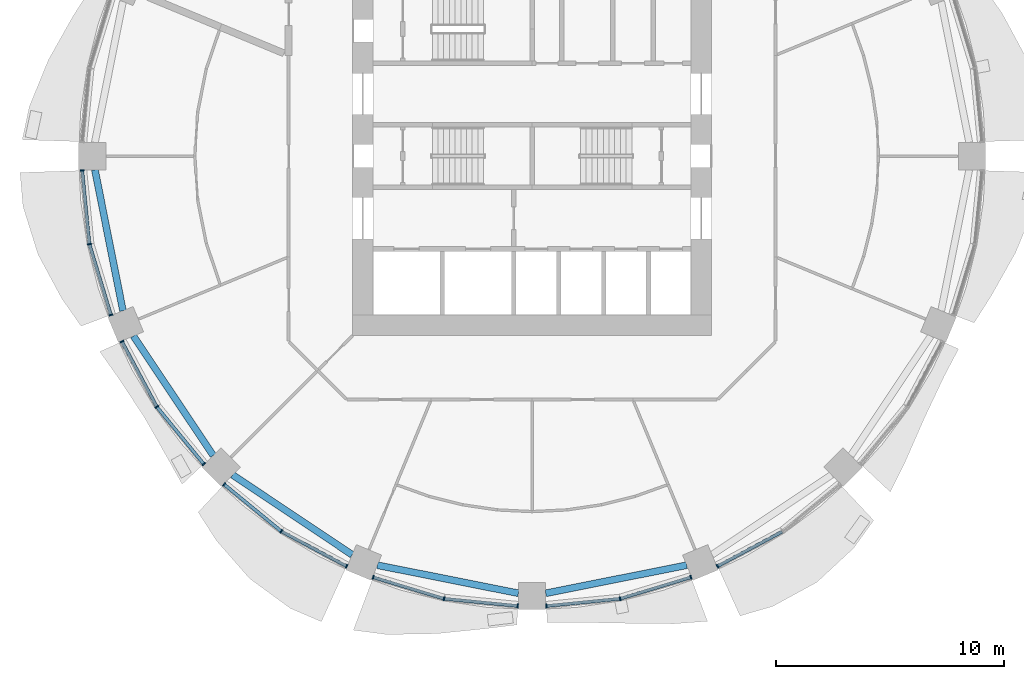
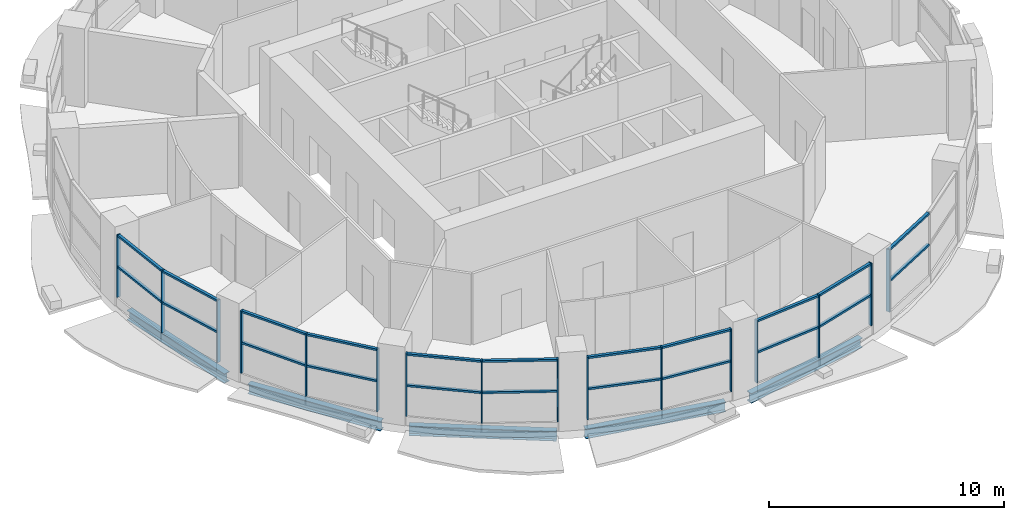
# One storey, part 2 of 14: 38 members, 5 beams, 6 elements without a shape of their own.
"""IFC4 building model written with IfcOpenShell, lengths in metres."""

from ifc_helpers import new_model, si_unit, direction, frame, origin, origin_2d, place, context, subcontext, project, spatial, rectangle, i_section, extrude, material, material_profile, profile_set, type_object, element, aggregate, save


model = new_model("IFC4")

# Units and contexts
model_context = context("Model", 3, precision=1e-05, world=origin(), true_north=direction((0.0, 1.0)))
body_context = subcontext(model_context, "Body", "Model", "MODEL_VIEW")
ifc_project = project(units=[si_unit("LENGTHUNIT", "METRE"), si_unit("AREAUNIT", "SQUARE_METRE"), si_unit("VOLUMEUNIT", "CUBIC_METRE"), si_unit("PLANEANGLEUNIT", "RADIAN"), si_unit("MASSUNIT", "GRAM", prefix="KILO")], contexts=[model_context])

# Site, building, storey
site_placement = place(None, origin())
site = spatial("IfcSite", under=ifc_project, at=site_placement, CompositionType="ELEMENT")
building_placement = place(site_placement, origin())
building = spatial("IfcBuilding", under=site, at=building_placement, Name="Polderwave Tower", CompositionType="ELEMENT")
storey_placement = place(building_placement, frame((0.0, 0.0, 14.39990234375)))
storey = spatial("IfcBuildingStorey", under=building, at=storey_placement, Name="L03", CompositionType="ELEMENT", Elevation=14.39990234375)

# Beams
ifc_material_1 = material(Name="Steel S355", Category="steel")
ifc_material_profile_1 = material_profile(ifc_material_1, i_section(OverallWidth=0.300048828125, OverallDepth=0.5, WebThickness=0.014404296875, FlangeThickness=0.028076171875, at=origin_2d()), Name="HE 500 B")
ifc_profile_set_1 = profile_set([ifc_material_profile_1], Name="Steel S355")
beam_type = type_object("IfcBeamType", Name="RING BEAM HE 500 B", PredefinedType="BEAM", material=ifc_profile_set_1)
for number, where, z_axis, x_axis, name in (
    (1, (-19.170654296875, -0.60009765625, -0.64990234375), (0.195102988285, -0.980782760841, 0.0), (0.980782760841, 0.195102988285, 0.0), "ST-RB-L03-08"),
    (2, (-17.481689453125, -7.890625, -0.64990234375), (0.555566948836, -0.831471806715, 0.0), (0.831471806715, 0.555566948836, 0.0), "ST-RB-L03-09"),
    (3, (-13.13134765625, -13.97998046875, -0.64990234375), (0.831471806715, -0.555566948836, 0.0), (0.555566948836, 0.831471806715, 0.0), "ST-RB-L03-10"),
    (4, (-6.781982421875, -17.94091796875, -0.64990234375), (0.980782760841, -0.195102988285, 0.0), (0.195102988285, 0.980782760841, 0.0), "ST-RB-L03-11"),
    (5, (0.60009765625, -19.170654296875, -0.64990234375), (0.980782760841, 0.195102988285, 0.0), (-0.195102988285, 0.980782760841, 0.0), "ST-RB-L03-12"),
):
    element("IfcBeam", number, at=place(storey_placement, frame(where, z_axis=z_axis, x_axis=x_axis)), inside=storey, type_object=beam_type, Name=name, PredefinedType="BEAM", context=body_context, shape_type="SweptSolid", body=[
        extrude(i_section(OverallWidth=0.300048828125, OverallDepth=0.5, WebThickness=0.014404296875, FlangeThickness=0.028076171875, at=origin_2d()), origin(), (0.0, 0.0, 1.0), 6.302978515625),
    ])

# Curtain wall, members
ifc_material_2 = material(Name="Aluminium 6063-T6 and glass", Category="aluminium")
curtain_wall_type = type_object("IfcCurtainWallType", Name="Shopfront glazing wall", PredefinedType="NOTDEFINED", material=ifc_material_2)
curtain_wall_1_placement = place(storey_placement, origin())
curtain_wall_1 = element("IfcCurtainWall", 6, at=curtain_wall_1_placement, inside=storey, type_object=curtain_wall_type, Name="CW1 L03 08", PredefinedType="NOTDEFINED")
ifc_material_3 = material(Name="Aluminium 6063-T6", Category="aluminium")
ifc_material_profile_2 = material_profile(ifc_material_3, rectangle(XDim=0.179931640625, YDim=0.06005859375, at=origin_2d()), Name="AL 60x180")
ifc_profile_set_2 = profile_set([ifc_material_profile_2], Name="Aluminium 6063-T6")
member_type_1 = type_object("IfcMemberType", Name="Shopfront glazing mullion 60x180", PredefinedType="MULLION", material=ifc_profile_set_2)
member_1_placement = place(storey_placement, frame((-19.72802734375, -0.6298828125, 0.4501953125), z_axis=(0.0, 0.0, 1.0), x_axis=(0.995190028453, 0.097963295511, 0.0)))
member_1 = element("IfcMember", 7, at=member_1_placement, type_object=member_type_1, Name="CW1 mullion 1", PredefinedType="MULLION", context=body_context, shape_type="SweptSolid", body=[
    extrude(rectangle(XDim=0.179931640625, YDim=0.06005859375, at=origin_2d()), origin(), (0.0, 0.0, 1.0), 3.25),
])
member_2_placement = place(storey_placement, frame((-19.409912109375, -3.861083984375, 0.4501953125), z_axis=(0.0, 0.0, 1.0), x_axis=(0.98079038752, 0.195064645051, 0.0)))
member_2 = element("IfcMember", 8, at=member_2_placement, type_object=member_type_1, Name="CW1 mullion 2", PredefinedType="MULLION", context=body_context, shape_type="SweptSolid", body=[
    extrude(rectangle(XDim=0.179931640625, YDim=0.06005859375, at=origin_2d()), origin(), (0.0, 0.0, 1.0), 3.25),
])
member_3_placement = place(storey_placement, frame((-18.4677734375, -6.96728515625, 0.4501953125), z_axis=(0.0, 0.0, 1.0), x_axis=(0.956939829088, 0.29028634743, 0.0)))
member_3 = element("IfcMember", 9, at=member_3_placement, type_object=member_type_1, Name="CW1 mullion 3", PredefinedType="MULLION", context=body_context, shape_type="SweptSolid", body=[
    extrude(rectangle(XDim=0.179931640625, YDim=0.06005859375, at=origin_2d()), origin(), (0.0, 0.0, 1.0), 3.25),
])

curtain_wall_2_placement = place(storey_placement, origin())
curtain_wall_2 = element("IfcCurtainWall", 10, at=curtain_wall_2_placement, inside=storey, type_object=curtain_wall_type, Name="CW1 L03 09", PredefinedType="NOTDEFINED")
member_4_placement = place(storey_placement, frame((-17.98486328125, -8.131591796875, 0.4501953125), z_axis=(0.0, 0.0, 1.0), x_axis=(0.882015039538, 0.471221253797, 0.0)))
member_4 = element("IfcMember", 11, at=member_4_placement, type_object=member_type_1, Name="CW1 mullion 1", PredefinedType="MULLION", context=body_context, shape_type="SweptSolid", body=[
    extrude(rectangle(XDim=0.179931640625, YDim=0.06005859375, at=origin_2d()), origin(), (0.0, 0.0, 1.0), 3.25),
])
member_5_placement = place(storey_placement, frame((-16.455078125, -10.9951171875, 0.4501953125), z_axis=(0.0, 0.0, 1.0), x_axis=(0.831510335494, 0.555509281621, 0.0)))
member_5 = element("IfcMember", 12, at=member_5_placement, type_object=member_type_1, Name="CW1 mullion 2", PredefinedType="MULLION", context=body_context, shape_type="SweptSolid", body=[
    extrude(rectangle(XDim=0.179931640625, YDim=0.06005859375, at=origin_2d()), origin(), (0.0, 0.0, 1.0), 3.25),
])
member_6_placement = place(storey_placement, frame((-14.39501953125, -13.5048828125, 0.4501953125), z_axis=(0.0, 0.0, 1.0), x_axis=(0.772977235548, 0.634433758027, 0.0)))
member_6 = element("IfcMember", 13, at=member_6_placement, type_object=member_type_1, Name="CW1 mullion 3", PredefinedType="MULLION", context=body_context, shape_type="SweptSolid", body=[
    extrude(rectangle(XDim=0.179931640625, YDim=0.06005859375, at=origin_2d()), origin(), (0.0, 0.0, 1.0), 3.25),
])

curtain_wall_3_placement = place(storey_placement, origin())
curtain_wall_3 = element("IfcCurtainWall", 14, at=curtain_wall_3_placement, inside=storey, type_object=curtain_wall_type, Name="CW1 L03 10", PredefinedType="NOTDEFINED")
member_7_placement = place(storey_placement, frame((-13.5048828125, -14.39501953125, 0.4501953125), z_axis=(0.0, 0.0, 1.0), x_axis=(0.634433758027, 0.772977235548, 0.0)))
member_7 = element("IfcMember", 15, at=member_7_placement, type_object=member_type_1, Name="CW1 mullion 1", PredefinedType="MULLION", context=body_context, shape_type="SweptSolid", body=[
    extrude(rectangle(XDim=0.179931640625, YDim=0.06005859375, at=origin_2d()), origin(), (0.0, 0.0, 1.0), 3.25),
])
member_8_placement = place(storey_placement, frame((-10.9951171875, -16.455078125, 0.4501953125), z_axis=(0.0, 0.0, 1.0), x_axis=(0.555509281621, 0.831510335494, 0.0)))
member_8 = element("IfcMember", 16, at=member_8_placement, type_object=member_type_1, Name="CW1 mullion 2", PredefinedType="MULLION", context=body_context, shape_type="SweptSolid", body=[
    extrude(rectangle(XDim=0.179931640625, YDim=0.06005859375, at=origin_2d()), origin(), (0.0, 0.0, 1.0), 3.25),
])
member_9_placement = place(storey_placement, frame((-8.131591796875, -17.98486328125, 0.4501953125), z_axis=(0.0, 0.0, 1.0), x_axis=(0.471221253797, 0.882015039538, 0.0)))
member_9 = element("IfcMember", 17, at=member_9_placement, type_object=member_type_1, Name="CW1 mullion 3", PredefinedType="MULLION", context=body_context, shape_type="SweptSolid", body=[
    extrude(rectangle(XDim=0.179931640625, YDim=0.06005859375, at=origin_2d()), origin(), (0.0, 0.0, 1.0), 3.25),
])

curtain_wall_4_placement = place(storey_placement, origin())
curtain_wall_4 = element("IfcCurtainWall", 18, at=curtain_wall_4_placement, inside=storey, type_object=curtain_wall_type, Name="CW1 L03 11", PredefinedType="NOTDEFINED")
member_10_placement = place(storey_placement, frame((-6.96728515625, -18.4677734375, 0.4501953125), z_axis=(0.0, 0.0, 1.0), x_axis=(0.29028634743, 0.956939829088, 0.0)))
member_10 = element("IfcMember", 19, at=member_10_placement, type_object=member_type_1, Name="CW1 mullion 1", PredefinedType="MULLION", context=body_context, shape_type="SweptSolid", body=[
    extrude(rectangle(XDim=0.179931640625, YDim=0.06005859375, at=origin_2d()), origin(), (0.0, 0.0, 1.0), 3.25),
])
member_11_placement = place(storey_placement, frame((-3.861083984375, -19.409912109375, 0.4501953125), z_axis=(0.0, 0.0, 1.0), x_axis=(0.195064645051, 0.98079038752, 0.0)))
member_11 = element("IfcMember", 20, at=member_11_placement, type_object=member_type_1, Name="CW1 mullion 2", PredefinedType="MULLION", context=body_context, shape_type="SweptSolid", body=[
    extrude(rectangle(XDim=0.179931640625, YDim=0.06005859375, at=origin_2d()), origin(), (0.0, 0.0, 1.0), 3.25),
])
member_12_placement = place(storey_placement, frame((-0.6298828125, -19.72802734375, 0.4501953125), z_axis=(0.0, 0.0, 1.0), x_axis=(0.097963295511, 0.995190028453, 0.0)))
member_12 = element("IfcMember", 21, at=member_12_placement, type_object=member_type_1, Name="CW1 mullion 3", PredefinedType="MULLION", context=body_context, shape_type="SweptSolid", body=[
    extrude(rectangle(XDim=0.179931640625, YDim=0.06005859375, at=origin_2d()), origin(), (0.0, 0.0, 1.0), 3.25),
])

curtain_wall_5_placement = place(storey_placement, origin())
curtain_wall_5 = element("IfcCurtainWall", 22, at=curtain_wall_5_placement, inside=storey, type_object=curtain_wall_type, Name="CW1 L03 12", PredefinedType="NOTDEFINED")
member_13_placement = place(storey_placement, frame((0.6298828125, -19.72802734375, 0.4501953125), z_axis=(0.0, 0.0, 1.0), x_axis=(-0.097963295511, 0.995190028453, 0.0)))
member_13 = element("IfcMember", 23, at=member_13_placement, type_object=member_type_1, Name="CW1 mullion 1", PredefinedType="MULLION", context=body_context, shape_type="SweptSolid", body=[
    extrude(rectangle(XDim=0.179931640625, YDim=0.06005859375, at=origin_2d()), origin(), (0.0, 0.0, 1.0), 3.25),
])
member_14_placement = place(storey_placement, frame((3.861083984375, -19.409912109375, 0.4501953125), z_axis=(0.0, 0.0, 1.0), x_axis=(-0.195064645051, 0.98079038752, 0.0)))
member_14 = element("IfcMember", 24, at=member_14_placement, type_object=member_type_1, Name="CW1 mullion 2", PredefinedType="MULLION", context=body_context, shape_type="SweptSolid", body=[
    extrude(rectangle(XDim=0.179931640625, YDim=0.06005859375, at=origin_2d()), origin(), (0.0, 0.0, 1.0), 3.25),
])
member_15_placement = place(storey_placement, frame((6.96728515625, -18.4677734375, 0.4501953125), z_axis=(0.0, 0.0, 1.0), x_axis=(-0.29028634743, 0.956939829088, 0.0)))
member_15 = element("IfcMember", 25, at=member_15_placement, type_object=member_type_1, Name="CW1 mullion 3", PredefinedType="MULLION", context=body_context, shape_type="SweptSolid", body=[
    extrude(rectangle(XDim=0.179931640625, YDim=0.06005859375, at=origin_2d()), origin(), (0.0, 0.0, 1.0), 3.25),
])

# Curtain wall, member
curtain_wall_6_placement = place(storey_placement, origin())
curtain_wall_6 = element("IfcCurtainWall", 26, at=curtain_wall_6_placement, inside=storey, type_object=curtain_wall_type, Name="CW1 L03 13", PredefinedType="NOTDEFINED")
member_16_placement = place(storey_placement, frame((8.131591796875, -17.98486328125, 0.4501953125), z_axis=(0.0, 0.0, 1.0), x_axis=(-0.471221253797, 0.882015039538, 0.0)))
member_16 = element("IfcMember", 27, at=member_16_placement, type_object=member_type_1, Name="CW1 mullion 1", PredefinedType="MULLION", context=body_context, shape_type="SweptSolid", body=[
    extrude(rectangle(XDim=0.179931640625, YDim=0.06005859375, at=origin_2d()), origin(), (0.0, 0.0, 1.0), 3.25),
])

# Member
ifc_material_profile_3 = material_profile(ifc_material_3, rectangle(XDim=0.139892578125, YDim=0.10009765625, at=origin_2d()), Name="AL 100x140")
ifc_profile_set_3 = profile_set([ifc_material_profile_3], Name="Aluminium 6063-T6")
member_type_2 = type_object("IfcMemberType", Name="Shopfront glazing transom 100x140", PredefinedType="USERDEFINED", material=ifc_profile_set_3)
member_17_placement = place(storey_placement, frame((-19.72509765625, -0.65966796875, 2.025146484375), z_axis=(0.097986537327, -0.99518774033, 0.0), x_axis=(0.99518774033, 0.097986537327, 0.0)))
member_17 = element("IfcMember", 28, at=member_17_placement, type_object=member_type_2, Name="CW1 transom 1", ObjectType="TRANSOM", PredefinedType="USERDEFINED", context=body_context, shape_type="SweptSolid", body=[
    extrude(rectangle(XDim=0.139892578125, YDim=0.10009765625, at=origin_2d()), origin(), (0.0, 0.0, 1.0), 3.186767578125),
])

member_18_placement = place(storey_placement, frame((-19.72509765625, -0.65966796875, 3.650146484375), z_axis=(0.097986537327, -0.99518774033, 0.0), x_axis=(0.99518774033, 0.097986537327, 0.0)))
member_18 = element("IfcMember", 29, at=member_18_placement, type_object=member_type_2, Name="CW1 transom 2", ObjectType="TRANSOM", PredefinedType="USERDEFINED", context=body_context, shape_type="SweptSolid", body=[
    extrude(rectangle(XDim=0.139892578125, YDim=0.10009765625, at=origin_2d()), origin(), (0.0, 0.0, 1.0), 3.186767578125),
])

member_19_placement = place(storey_placement, frame((-19.4013671875, -3.8896484375, 2.025146484375), z_axis=(0.29031998901, -0.956929623317, 0.0), x_axis=(0.956929623317, 0.29031998901, 0.0)))
member_19 = element("IfcMember", 30, at=member_19_placement, type_object=member_type_2, Name="CW1 transom 3", ObjectType="TRANSOM", PredefinedType="USERDEFINED", context=body_context, shape_type="SweptSolid", body=[
    extrude(rectangle(XDim=0.139892578125, YDim=0.10009765625, at=origin_2d()), origin(), (0.0, 0.0, 1.0), 3.186279296875),
])

member_20_placement = place(storey_placement, frame((-19.4013671875, -3.8896484375, 3.650146484375), z_axis=(0.29031998901, -0.956929623317, 0.0), x_axis=(0.956929623317, 0.29031998901, 0.0)))
member_20 = element("IfcMember", 31, at=member_20_placement, type_object=member_type_2, Name="CW1 transom 4", ObjectType="TRANSOM", PredefinedType="USERDEFINED", context=body_context, shape_type="SweptSolid", body=[
    extrude(rectangle(XDim=0.139892578125, YDim=0.10009765625, at=origin_2d()), origin(), (0.0, 0.0, 1.0), 3.186279296875),
])

aggregate(curtain_wall_1, [member_1, member_2, member_3, member_17, member_18, member_19, member_20])

member_21_placement = place(storey_placement, frame((-17.970703125, -8.157958984375, 2.025146484375), z_axis=(0.471260138764, -0.881994263934, 0.0), x_axis=(0.881994263934, 0.471260138764, 0.0)))
member_21 = element("IfcMember", 32, at=member_21_placement, type_object=member_type_2, Name="CW1 transom 1", ObjectType="TRANSOM", PredefinedType="USERDEFINED", context=body_context, shape_type="SweptSolid", body=[
    extrude(rectangle(XDim=0.139892578125, YDim=0.10009765625, at=origin_2d()), origin(), (0.0, 0.0, 1.0), 3.1865234375),
])

member_22_placement = place(storey_placement, frame((-17.970703125, -8.157958984375, 3.650146484375), z_axis=(0.471260138764, -0.881994263934, 0.0), x_axis=(0.881994263934, 0.471260138764, 0.0)))
member_22 = element("IfcMember", 33, at=member_22_placement, type_object=member_type_2, Name="CW1 transom 2", ObjectType="TRANSOM", PredefinedType="USERDEFINED", context=body_context, shape_type="SweptSolid", body=[
    extrude(rectangle(XDim=0.139892578125, YDim=0.10009765625, at=origin_2d()), origin(), (0.0, 0.0, 1.0), 3.1865234375),
])

member_23_placement = place(storey_placement, frame((-16.43603515625, -11.018310546875, 2.025146484375), z_axis=(0.634455125331, -0.772959697488, 0.0), x_axis=(0.772959697488, 0.634455125331, 0.0)))
member_23 = element("IfcMember", 34, at=member_23_placement, type_object=member_type_2, Name="CW1 transom 3", ObjectType="TRANSOM", PredefinedType="USERDEFINED", context=body_context, shape_type="SweptSolid", body=[
    extrude(rectangle(XDim=0.139892578125, YDim=0.10009765625, at=origin_2d()), origin(), (0.0, 0.0, 1.0), 3.18701171875),
])

member_24_placement = place(storey_placement, frame((-16.43603515625, -11.018310546875, 3.650146484375), z_axis=(0.634455125331, -0.772959697488, 0.0), x_axis=(0.772959697488, 0.634455125331, 0.0)))
member_24 = element("IfcMember", 35, at=member_24_placement, type_object=member_type_2, Name="CW1 transom 4", ObjectType="TRANSOM", PredefinedType="USERDEFINED", context=body_context, shape_type="SweptSolid", body=[
    extrude(rectangle(XDim=0.139892578125, YDim=0.10009765625, at=origin_2d()), origin(), (0.0, 0.0, 1.0), 3.18701171875),
])

aggregate(curtain_wall_2, [member_4, member_5, member_6, member_21, member_22, member_23, member_24])

member_25_placement = place(storey_placement, frame((-13.481689453125, -14.4140625, 2.025146484375), z_axis=(0.772959697488, -0.634455125331, 0.0), x_axis=(0.634455125331, 0.772959697488, 0.0)))
member_25 = element("IfcMember", 36, at=member_25_placement, type_object=member_type_2, Name="CW1 transom 1", ObjectType="TRANSOM", PredefinedType="USERDEFINED", context=body_context, shape_type="SweptSolid", body=[
    extrude(rectangle(XDim=0.139892578125, YDim=0.10009765625, at=origin_2d()), origin(), (0.0, 0.0, 1.0), 3.18701171875),
])

member_26_placement = place(storey_placement, frame((-13.481689453125, -14.4140625, 3.650146484375), z_axis=(0.772959697488, -0.634455125331, 0.0), x_axis=(0.634455125331, 0.772959697488, 0.0)))
member_26 = element("IfcMember", 37, at=member_26_placement, type_object=member_type_2, Name="CW1 transom 2", ObjectType="TRANSOM", PredefinedType="USERDEFINED", context=body_context, shape_type="SweptSolid", body=[
    extrude(rectangle(XDim=0.139892578125, YDim=0.10009765625, at=origin_2d()), origin(), (0.0, 0.0, 1.0), 3.18701171875),
])

member_27_placement = place(storey_placement, frame((-10.968505859375, -16.468994140625, 2.025146484375), z_axis=(0.881994263934, -0.471260138764, 0.0), x_axis=(0.471260138764, 0.881994263934, 0.0)))
member_27 = element("IfcMember", 38, at=member_27_placement, type_object=member_type_2, Name="CW1 transom 3", ObjectType="TRANSOM", PredefinedType="USERDEFINED", context=body_context, shape_type="SweptSolid", body=[
    extrude(rectangle(XDim=0.139892578125, YDim=0.10009765625, at=origin_2d()), origin(), (0.0, 0.0, 1.0), 3.1865234375),
])

member_28_placement = place(storey_placement, frame((-10.968505859375, -16.468994140625, 3.650146484375), z_axis=(0.881994263934, -0.471260138764, 0.0), x_axis=(0.471260138764, 0.881994263934, 0.0)))
member_28 = element("IfcMember", 39, at=member_28_placement, type_object=member_type_2, Name="CW1 transom 4", ObjectType="TRANSOM", PredefinedType="USERDEFINED", context=body_context, shape_type="SweptSolid", body=[
    extrude(rectangle(XDim=0.139892578125, YDim=0.10009765625, at=origin_2d()), origin(), (0.0, 0.0, 1.0), 3.1865234375),
])

aggregate(curtain_wall_3, [member_7, member_8, member_9, member_25, member_26, member_27, member_28])

member_29_placement = place(storey_placement, frame((-6.938720703125, -18.476318359375, 2.025146484375), z_axis=(0.956929623317, -0.29031998901, 0.0), x_axis=(0.29031998901, 0.956929623317, 0.0)))
member_29 = element("IfcMember", 40, at=member_29_placement, type_object=member_type_2, Name="CW1 transom 1", ObjectType="TRANSOM", PredefinedType="USERDEFINED", context=body_context, shape_type="SweptSolid", body=[
    extrude(rectangle(XDim=0.139892578125, YDim=0.10009765625, at=origin_2d()), origin(), (0.0, 0.0, 1.0), 3.186279296875),
])

member_30_placement = place(storey_placement, frame((-6.938720703125, -18.476318359375, 3.650146484375), z_axis=(0.956929623317, -0.29031998901, 0.0), x_axis=(0.29031998901, 0.956929623317, 0.0)))
member_30 = element("IfcMember", 41, at=member_30_placement, type_object=member_type_2, Name="CW1 transom 2", ObjectType="TRANSOM", PredefinedType="USERDEFINED", context=body_context, shape_type="SweptSolid", body=[
    extrude(rectangle(XDim=0.139892578125, YDim=0.10009765625, at=origin_2d()), origin(), (0.0, 0.0, 1.0), 3.186279296875),
])

member_31_placement = place(storey_placement, frame((-3.8310546875, -19.412841796875, 2.025146484375), z_axis=(0.99518774033, -0.097986537327, 0.0), x_axis=(0.097986537327, 0.99518774033, 0.0)))
member_31 = element("IfcMember", 42, at=member_31_placement, type_object=member_type_2, Name="CW1 transom 3", ObjectType="TRANSOM", PredefinedType="USERDEFINED", context=body_context, shape_type="SweptSolid", body=[
    extrude(rectangle(XDim=0.139892578125, YDim=0.10009765625, at=origin_2d()), origin(), (0.0, 0.0, 1.0), 3.186767578125),
])

member_32_placement = place(storey_placement, frame((-3.8310546875, -19.412841796875, 3.650146484375), z_axis=(0.99518774033, -0.097986537327, 0.0), x_axis=(0.097986537327, 0.99518774033, 0.0)))
member_32 = element("IfcMember", 43, at=member_32_placement, type_object=member_type_2, Name="CW1 transom 4", ObjectType="TRANSOM", PredefinedType="USERDEFINED", context=body_context, shape_type="SweptSolid", body=[
    extrude(rectangle(XDim=0.139892578125, YDim=0.10009765625, at=origin_2d()), origin(), (0.0, 0.0, 1.0), 3.186767578125),
])

aggregate(curtain_wall_4, [member_10, member_11, member_12, member_29, member_30, member_31, member_32])

member_33_placement = place(storey_placement, frame((0.65966796875, -19.72509765625, 2.025146484375), z_axis=(0.99518774033, 0.097986537327, 0.0), x_axis=(-0.097986537327, 0.99518774033, 0.0)))
member_33 = element("IfcMember", 44, at=member_33_placement, type_object=member_type_2, Name="CW1 transom 1", ObjectType="TRANSOM", PredefinedType="USERDEFINED", context=body_context, shape_type="SweptSolid", body=[
    extrude(rectangle(XDim=0.139892578125, YDim=0.10009765625, at=origin_2d()), origin(), (0.0, 0.0, 1.0), 3.186767578125),
])

member_34_placement = place(storey_placement, frame((0.65966796875, -19.72509765625, 3.650146484375), z_axis=(0.99518774033, 0.097986537327, 0.0), x_axis=(-0.097986537327, 0.99518774033, 0.0)))
member_34 = element("IfcMember", 45, at=member_34_placement, type_object=member_type_2, Name="CW1 transom 2", ObjectType="TRANSOM", PredefinedType="USERDEFINED", context=body_context, shape_type="SweptSolid", body=[
    extrude(rectangle(XDim=0.139892578125, YDim=0.10009765625, at=origin_2d()), origin(), (0.0, 0.0, 1.0), 3.186767578125),
])

member_35_placement = place(storey_placement, frame((3.8896484375, -19.4013671875, 2.025146484375), z_axis=(0.956929623317, 0.29031998901, 0.0), x_axis=(-0.29031998901, 0.956929623317, 0.0)))
member_35 = element("IfcMember", 46, at=member_35_placement, type_object=member_type_2, Name="CW1 transom 3", ObjectType="TRANSOM", PredefinedType="USERDEFINED", context=body_context, shape_type="SweptSolid", body=[
    extrude(rectangle(XDim=0.139892578125, YDim=0.10009765625, at=origin_2d()), origin(), (0.0, 0.0, 1.0), 3.186279296875),
])

member_36_placement = place(storey_placement, frame((3.8896484375, -19.4013671875, 3.650146484375), z_axis=(0.956929623317, 0.29031998901, 0.0), x_axis=(-0.29031998901, 0.956929623317, 0.0)))
member_36 = element("IfcMember", 47, at=member_36_placement, type_object=member_type_2, Name="CW1 transom 4", ObjectType="TRANSOM", PredefinedType="USERDEFINED", context=body_context, shape_type="SweptSolid", body=[
    extrude(rectangle(XDim=0.139892578125, YDim=0.10009765625, at=origin_2d()), origin(), (0.0, 0.0, 1.0), 3.186279296875),
])

aggregate(curtain_wall_5, [member_13, member_14, member_15, member_33, member_34, member_35, member_36])

member_37_placement = place(storey_placement, frame((8.157958984375, -17.970703125, 2.025146484375), z_axis=(0.881994263934, 0.471260138764, 0.0), x_axis=(-0.471260138764, 0.881994263934, 0.0)))
member_37 = element("IfcMember", 48, at=member_37_placement, type_object=member_type_2, Name="CW1 transom 1", ObjectType="TRANSOM", PredefinedType="USERDEFINED", context=body_context, shape_type="SweptSolid", body=[
    extrude(rectangle(XDim=0.139892578125, YDim=0.10009765625, at=origin_2d()), origin(), (0.0, 0.0, 1.0), 3.1865234375),
])

member_38_placement = place(storey_placement, frame((8.157958984375, -17.970703125, 3.650146484375), z_axis=(0.881994263934, 0.471260138764, 0.0), x_axis=(-0.471260138764, 0.881994263934, 0.0)))
member_38 = element("IfcMember", 49, at=member_38_placement, type_object=member_type_2, Name="CW1 transom 2", ObjectType="TRANSOM", PredefinedType="USERDEFINED", context=body_context, shape_type="SweptSolid", body=[
    extrude(rectangle(XDim=0.139892578125, YDim=0.10009765625, at=origin_2d()), origin(), (0.0, 0.0, 1.0), 3.1865234375),
])

aggregate(curtain_wall_6, [member_16, member_37, member_38])

save(model, "model.ifc")
